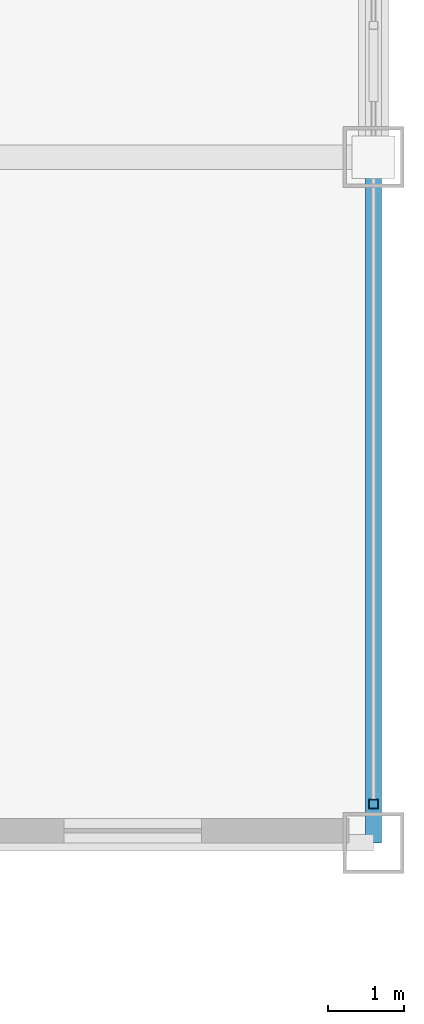
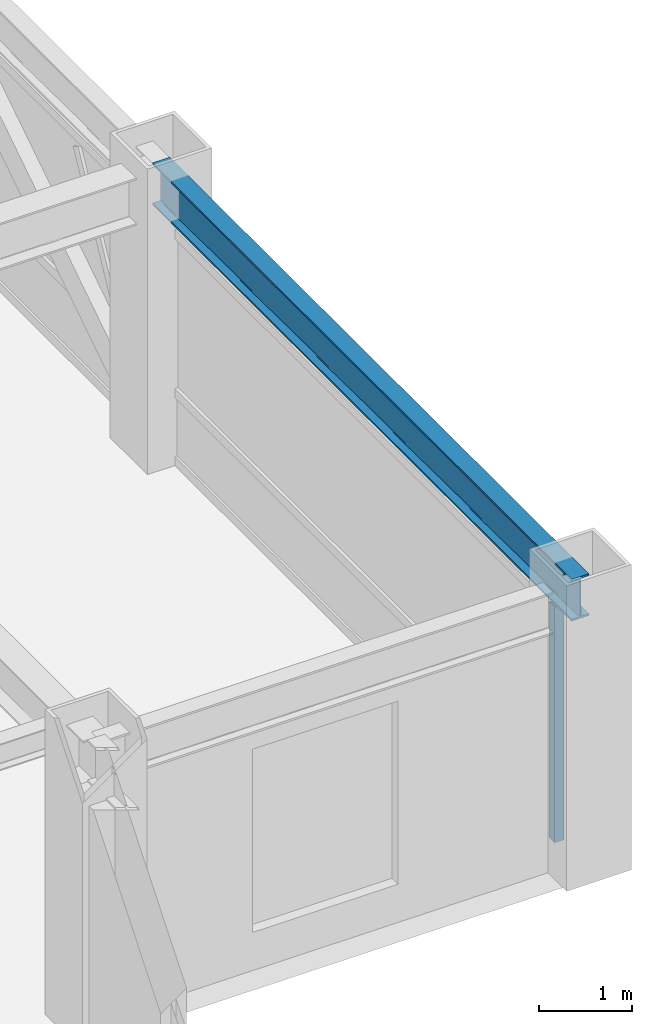
# One storey, part 11 of 30: 1 beam, 1 member, 1 element without a shape of its own.
"""IFC4 building model written with IfcOpenShell, lengths in metres."""

from ifc_helpers import new_model, si_unit, direction, frame, origin, origin_2d, place, context, subcontext, project, spatial, hollow_rectangle, i_section, extrude, source, transform, mapped, material, material_profile, profile_set, type_object, element, aggregate, save


model = new_model("IFC4")

# Units and contexts
model_context = context("Model", 3, precision=1e-05, world=origin(), true_north=direction((0.0, 1.0)))
body_context = subcontext(model_context, "Body", "Model", "MODEL_VIEW")
ifc_project = project(units=[si_unit("LENGTHUNIT", "METRE"), si_unit("AREAUNIT", "SQUARE_METRE"), si_unit("VOLUMEUNIT", "CUBIC_METRE"), si_unit("PLANEANGLEUNIT", "RADIAN"), si_unit("MASSUNIT", "GRAM", prefix="KILO")], contexts=[model_context])

# Site, building, storey
site_placement = place(None, origin())
site = spatial("IfcSite", under=ifc_project, at=site_placement, CompositionType="ELEMENT")
building_placement = place(site_placement, origin())
building = spatial("IfcBuilding", under=site, at=building_placement, Name="Khorayat Bourse Tower", CompositionType="ELEMENT")
storey_placement = place(building_placement, frame((0.0, 0.0, 326.300048828125)))
storey = spatial("IfcBuildingStorey", under=building, at=storey_placement, Name="L77", CompositionType="ELEMENT", Elevation=326.300048828125)

# Beam
ifc_material_1 = material(Name="Steel ASTM A992 Grade 50", Category="steel")
ifc_material_profile_1 = material_profile(ifc_material_1, i_section(OverallWidth=0.214111328125, OverallDepth=0.549072265625, WebThickness=0.0146484375, FlangeThickness=0.023681640625, FilletRadius=0.013916015625, at=origin_2d()), Name="W530X138")
ifc_profile_set_1 = profile_set([ifc_material_profile_1], Name="Steel ASTM A992 Grade 50")
beam_type = type_object("IfcBeamType", Name="BM-SPAN-530", PredefinedType="SPANDREL", material=ifc_profile_set_1)
shared_shape_1 = source(origin(), body_context, "Body", "SweptSolid", [
    extrude(i_section(OverallWidth=0.214111328125, OverallDepth=0.549072265625, WebThickness=0.0146484375, FlangeThickness=0.023681640625, FilletRadius=0.013916015625, at=origin_2d()), origin(), (0.0, 0.0, 1.0), 9.0),
])
beam_placement = place(storey_placement, frame((26.0, -20.0, 3.46533203125), z_axis=(0.0, 1.0, 0.0), x_axis=(-1.0, 0.0, 0.0)))
element("IfcBeam", 1, at=beam_placement, inside=storey, type_object=beam_type, Name="L77 BM-SPAN-530 BM-L77-SPN-032", PredefinedType="SPANDREL", context=body_context, shape_type="MappedRepresentation", body=[
    mapped(shared_shape_1, transform((0.0, 0.0, 0.0), scale=1.0)),
])

# Curtain wall, member
ifc_material_2 = material(Name="Aluminium EN AW-6063 T6", Category="aluminium")
curtain_wall_type = type_object("IfcCurtainWallType", Name="CW-SYS-04", PredefinedType="NOTDEFINED", material=ifc_material_2)
curtain_wall_placement = place(storey_placement, origin())
curtain_wall = element("IfcCurtainWall", 2, at=curtain_wall_placement, inside=storey, type_object=curtain_wall_type, Name="L77 Curtain Wall CW-L77-E1", PredefinedType="NOTDEFINED")
ifc_material_profile_2 = material_profile(ifc_material_2, hollow_rectangle(XDim=0.1201171875, YDim=0.1201171875, WallThickness=0.0048828125, at=origin_2d()), Name="ALU 120x120x5")
ifc_profile_set_2 = profile_set([ifc_material_profile_2], Name="Aluminium EN AW-6063 T6")
member_type = type_object("IfcMemberType", Name="CWM-VERT-120", PredefinedType="MULLION", material=ifc_profile_set_2)
shared_shape_2 = source(origin(), body_context, "Body", "SweptSolid", [
    extrude(hollow_rectangle(XDim=0.1201171875, YDim=0.1201171875, WallThickness=0.0048828125, at=origin_2d()), origin(), (0.0, 0.0, 1.0), 3.08984375),
])
member_placement = place(storey_placement, frame((26.0, -19.489990234375, 0.0), z_axis=(0.0, 0.0, 1.0), x_axis=(-1.0, 0.0, 0.0)))
member = element("IfcMember", 3, at=member_placement, type_object=member_type, Name="CW-L77-E1 Vertical Mullion 1", PredefinedType="MULLION", context=body_context, shape_type="MappedRepresentation", body=[
    mapped(shared_shape_2, transform((0.0, 0.0, 0.0), scale=1.0)),
])
aggregate(curtain_wall, [member])

save(model, "model.ifc")
